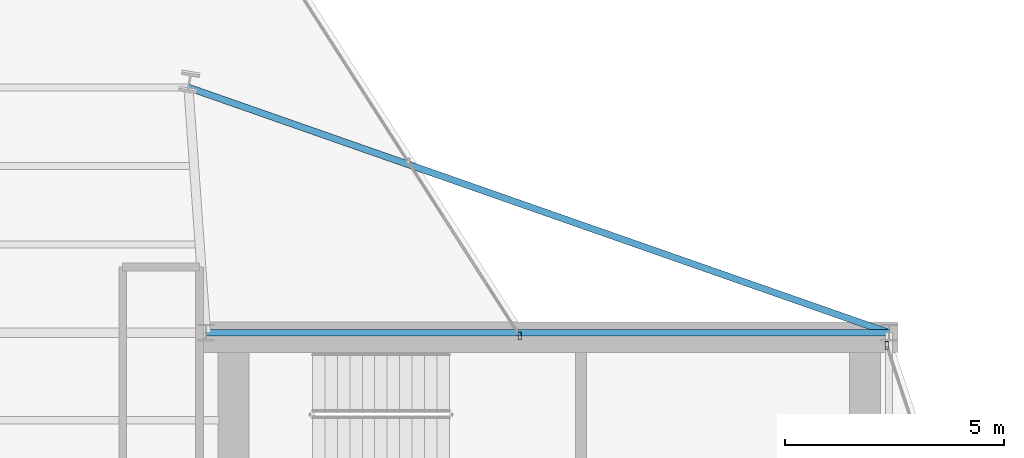
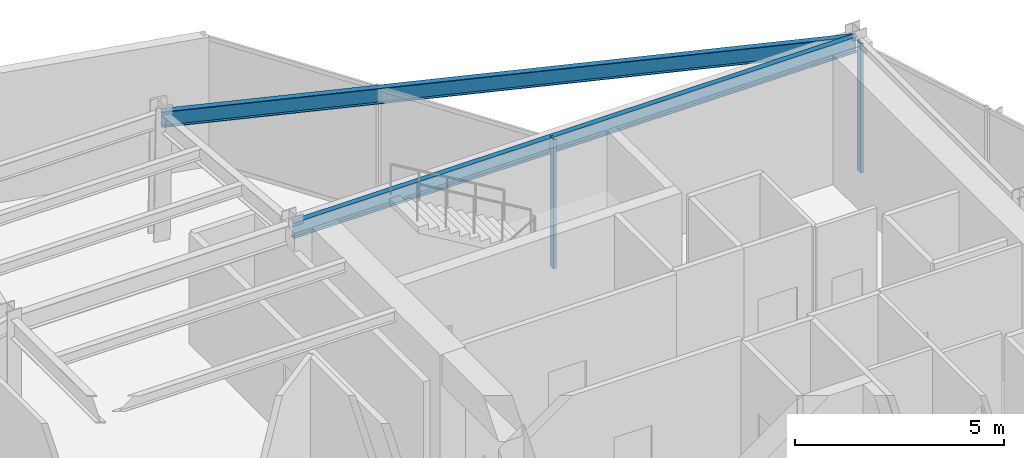
# One storey, part 16 of 23: 2 beams, 2 members, 2 elements without a shape of their own.
"""IFC4 building model written with IfcOpenShell, lengths in metres."""

from ifc_helpers import new_model, si_unit, direction, frame, origin, origin_2d, place, context, subcontext, project, spatial, hollow_rectangle, i_section, extrude, material, layer, layer_set, material_profile, profile_set, type_object, element, aggregate, save


model = new_model("IFC4")

# Units and contexts
model_context = context("Model", 3, precision=1e-05, world=origin(), true_north=direction((0.0, 1.0)))
body_context = subcontext(model_context, "Body", "Model", "MODEL_VIEW")
ifc_project = project(units=[si_unit("LENGTHUNIT", "METRE"), si_unit("AREAUNIT", "SQUARE_METRE"), si_unit("VOLUMEUNIT", "CUBIC_METRE"), si_unit("PLANEANGLEUNIT", "RADIAN"), si_unit("MASSUNIT", "GRAM", prefix="KILO")], contexts=[model_context])

# Site, building, storey
site_placement = place(None, origin())
site = spatial("IfcSite", under=ifc_project, at=site_placement, CompositionType="ELEMENT")
building_placement = place(site_placement, origin())
building = spatial("IfcBuilding", under=site, at=building_placement, Name="Veymaron Broadcast Tower", CompositionType="ELEMENT")
storey_placement = place(building_placement, frame((0.0, 0.0, 199.949951171875)))
storey = spatial("IfcBuildingStorey", under=building, at=storey_placement, Name="L46", CompositionType="ELEMENT", Elevation=199.949951171875)

# Beams
ifc_material_1 = material(Name="Structural steel ASTM A992 Gr 50", Category="steel")
ifc_material_profile_1 = material_profile(ifc_material_1, i_section(OverallWidth=0.154052734375, OverallDepth=0.458984375, WebThickness=0.009033203125, FlangeThickness=0.015380859375, at=origin_2d()), Name="W460X68")
ifc_profile_set_1 = profile_set([ifc_material_profile_1], Name="Structural steel ASTM A992 Gr 50")
beam_type = type_object("IfcBeamType", Name="BM-SP2", PredefinedType="SPANDREL", material=ifc_profile_set_1)
beam_1_placement = place(storey_placement, frame((39.0, 32.0, 3.560546875), z_axis=(1.0, 0.0, 0.0), x_axis=(0.0, 1.0, 0.0)))
element("IfcBeam", 1, at=beam_1_placement, inside=storey, type_object=beam_type, Name="L46 primary structural floor girder", PredefinedType="SPANDREL", context=body_context, shape_type="SweptSolid", body=[
    extrude(i_section(OverallWidth=0.154052734375, OverallDepth=0.458984375, WebThickness=0.009033203125, FlangeThickness=0.015380859375, at=origin_2d()), origin(), (0.0, 0.0, 1.0), 15.60009765625),
])
beam_2_placement = place(storey_placement, frame((54.60009765625, 32.0, 3.560546875), z_axis=(-0.943856560098, 0.330355556878, 0.0), x_axis=(-0.330355556878, -0.943856560098, 0.0)))
element("IfcBeam", 2, at=beam_2_placement, inside=storey, type_object=beam_type, Name="L46 primary structural floor girder", PredefinedType="SPANDREL", context=body_context, shape_type="SweptSolid", body=[
    extrude(i_section(OverallWidth=0.154052734375, OverallDepth=0.458984375, WebThickness=0.009033203125, FlangeThickness=0.015380859375, at=origin_2d()), origin(), (0.0, 0.0, 1.0), 16.95166015625),
])

# Curtain wall, member
ifc_material_2 = material(Name="Anodised aluminium AA 6063-T6 and laminated low-E dark glass", Category="aluminium")
ifc_layer = layer(ifc_material_2, 0.179931640625)
ifc_layer_set = layer_set([ifc_layer], Name="Anodised aluminium AA 6063-T6 and laminated low-E dark glass")
curtain_wall_type = type_object("IfcCurtainWallType", Name="CW-SYS-05", PredefinedType="NOTDEFINED", material=ifc_layer_set)
curtain_wall_1_placement = place(storey_placement, origin())
curtain_wall_1 = element("IfcCurtainWall", 3, at=curtain_wall_1_placement, inside=storey, type_object=curtain_wall_type, Name="L46 dark-glass curtain wall CW-L46-E3-1", PredefinedType="NOTDEFINED")
ifc_material_3 = material(Name="Anodised aluminium AA 6063-T6", Category="aluminium")
ifc_material_profile_2 = material_profile(ifc_material_3, hollow_rectangle(XDim=0.074951171875, YDim=0.179931640625, WallThickness=0.0048828125, at=origin_2d()), Name="AL180X75X5")
ifc_profile_set_2 = profile_set([ifc_material_profile_2], Name="Anodised aluminium AA 6063-T6")
member_type = type_object("IfcMemberType", Name="CW-MUL-02", PredefinedType="MULLION", material=ifc_profile_set_2)
member_1_placement = place(storey_placement, frame((54.54736328125, 31.711669921875, 0.0), z_axis=(0.0, 0.0, 1.0), x_axis=(1.0, 0.0, 0.0)))
member_1 = element("IfcMember", 4, at=member_1_placement, type_object=member_type, Name="CW-L46-E3-1 mullion 2", PredefinedType="MULLION", context=body_context, shape_type="SweptSolid", body=[
    extrude(hollow_rectangle(XDim=0.074951171875, YDim=0.179931640625, WallThickness=0.0048828125, at=origin_2d()), origin(), (0.0, 0.0, 1.0), 3.7900390625),
])
aggregate(curtain_wall_1, [member_1])

curtain_wall_2_placement = place(storey_placement, origin())
curtain_wall_2 = element("IfcCurtainWall", 5, at=curtain_wall_2_placement, inside=storey, type_object=curtain_wall_type, Name="L46 dark-glass curtain wall CW-L46-E5-1", PredefinedType="NOTDEFINED")
member_2_placement = place(storey_placement, frame((46.1689453125, 31.92431640625, 0.0), z_axis=(0.0, 0.0, 1.0), x_axis=(1.0, 0.0, 0.0)))
member_2 = element("IfcMember", 6, at=member_2_placement, type_object=member_type, Name="CW-L46-E5-1 mullion 0", PredefinedType="MULLION", context=body_context, shape_type="SweptSolid", body=[
    extrude(hollow_rectangle(XDim=0.074951171875, YDim=0.179931640625, WallThickness=0.0048828125, at=origin_2d()), origin(), (0.0, 0.0, 1.0), 3.7900390625),
])
aggregate(curtain_wall_2, [member_2])

save(model, "model.ifc")
